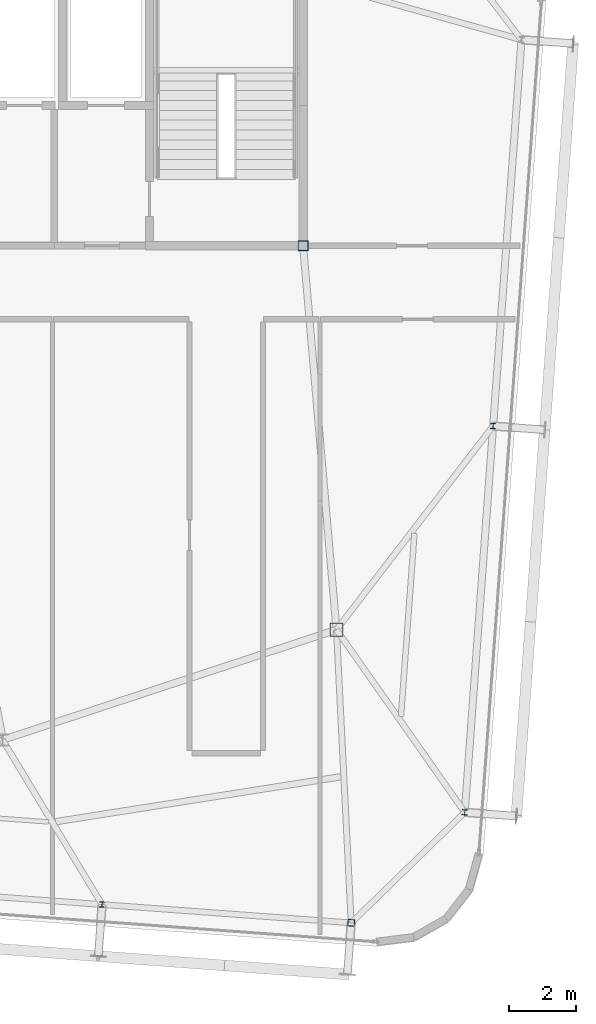
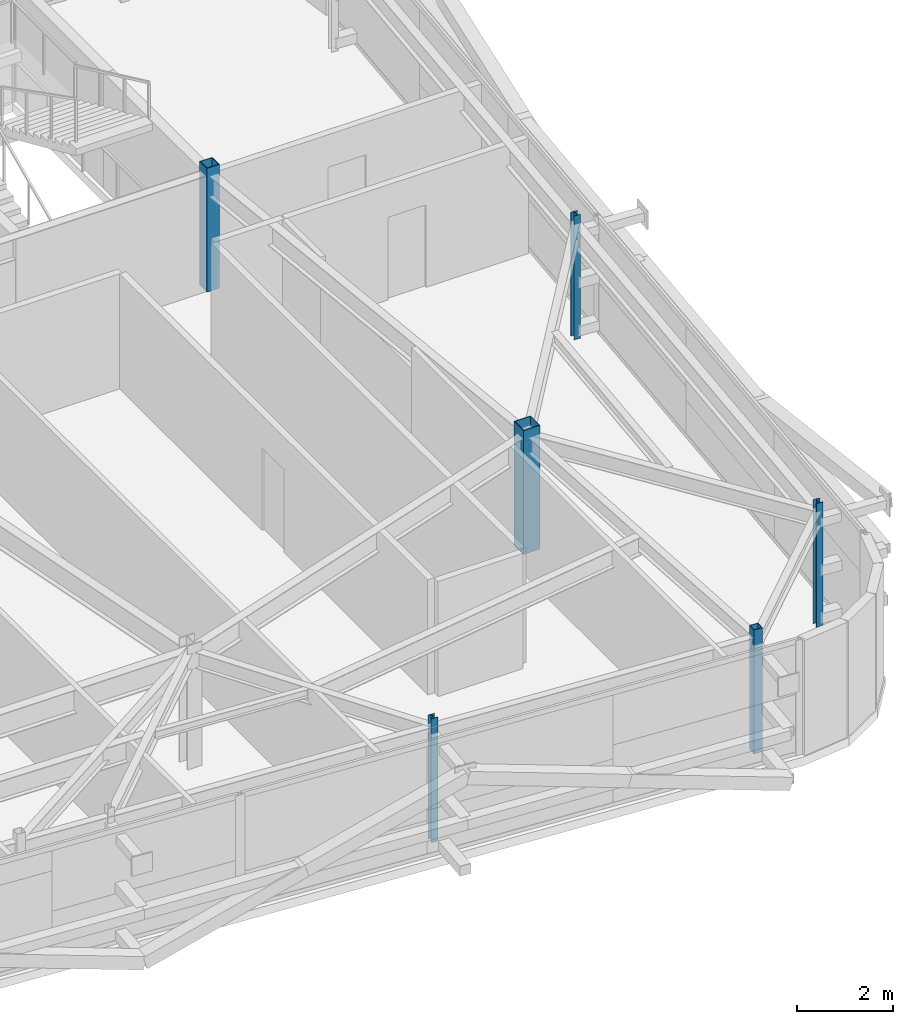
# One storey, part 5 of 34: 6 columns.
"""IFC4 building model written with IfcOpenShell, lengths in metres."""

from ifc_helpers import new_model, si_unit, direction, frame, origin, origin_2d, place, context, subcontext, project, spatial, hollow_rectangle, i_section, extrude, source, transform, mapped, material, material_profile, profile_set, type_object, element, save


model = new_model("IFC4")

# Units and contexts
model_context = context("Model", 3, precision=1e-05, world=origin(), true_north=direction((0.0, 1.0)))
body_context = subcontext(model_context, "Body", "Model", "MODEL_VIEW")
ifc_project = project(units=[si_unit("LENGTHUNIT", "METRE"), si_unit("AREAUNIT", "SQUARE_METRE"), si_unit("VOLUMEUNIT", "CUBIC_METRE"), si_unit("PLANEANGLEUNIT", "RADIAN"), si_unit("MASSUNIT", "GRAM", prefix="KILO")], contexts=[model_context])

# Site, building, storey
site_placement = place(None, origin())
site = spatial("IfcSite", under=ifc_project, at=site_placement, CompositionType="ELEMENT")
building_placement = place(site_placement, origin())
building = spatial("IfcBuilding", under=site, at=building_placement, Name="Taldren Reach Tower", CompositionType="ELEMENT")
storey_placement = place(building_placement, frame((0.0, 0.0, 239.75)))
storey = spatial("IfcBuildingStorey", under=building, at=storey_placement, Name="L73", CompositionType="ELEMENT", Elevation=239.75)

# Columns
ifc_material_1 = material(Name="Steel Gr 450 (C450L0)", Category="steel")
ifc_material_profile_1 = material_profile(ifc_material_1, hollow_rectangle(XDim=0.39990234375, YDim=0.39990234375, WallThickness=0.01611328125, at=origin_2d()), Name="400x400x16.0SHS")
ifc_profile_set_1 = profile_set([ifc_material_profile_1], Name="Steel Gr 450 (C450L0)")
column_type_1 = type_object("IfcColumnType", Name="COL-SHS400", PredefinedType="COLUMN", material=ifc_profile_set_1)
shared_shape_1 = source(origin(), body_context, "Body", "SweptSolid", [
    extrude(hollow_rectangle(XDim=0.39990234375, YDim=0.39990234375, WallThickness=0.01611328125, at=origin_2d()), origin(), (0.0, 0.0, 1.0), 3.14990234375),
])
column_1_placement = place(storey_placement, frame((52.0, 12.5, 0.0), z_axis=(0.0, 0.0, 1.0), x_axis=(1.0, 0.0, 0.0)))
element("IfcColumn", 1, at=column_1_placement, inside=storey, type_object=column_type_1, Name="Mega column MC-SE L73", PredefinedType="COLUMN", context=body_context, shape_type="MappedRepresentation", body=[
    mapped(shared_shape_1, transform((0.0, 0.0, 0.0), scale=1.0)),
])
ifc_material_profile_2 = material_profile(ifc_material_1, hollow_rectangle(XDim=0.300048828125, YDim=0.300048828125, WallThickness=0.012451171875, at=origin_2d()), Name="300x300x12.5SHS")
ifc_profile_set_2 = profile_set([ifc_material_profile_2], Name="Steel Gr 450 (C450L0)")
column_type_2 = type_object("IfcColumnType", Name="COL-SHS300", PredefinedType="COLUMN", material=ifc_profile_set_2)
shared_shape_2 = source(origin(), body_context, "Body", "SweptSolid", [
    extrude(hollow_rectangle(XDim=0.300048828125, YDim=0.300048828125, WallThickness=0.012451171875, at=origin_2d()), origin(), (0.0, 0.0, 1.0), 3.14990234375),
])
column_2_placement = place(storey_placement, frame((51.0, 24.0, 0.0), z_axis=(0.0, 0.0, 1.0), x_axis=(1.0, 0.0, 0.0)))
element("IfcColumn", 2, at=column_2_placement, inside=storey, type_object=column_type_2, Name="Mega column MC-C4 L73", PredefinedType="COLUMN", context=body_context, shape_type="MappedRepresentation", body=[
    mapped(shared_shape_2, transform((0.0, 0.0, 0.0), scale=1.0)),
])
ifc_material_2 = material(Name="Steel Gr 350 (C350L0)", Category="steel")
ifc_material_profile_3 = material_profile(ifc_material_2, hollow_rectangle(XDim=0.199951171875, YDim=0.199951171875, WallThickness=0.009033203125, at=origin_2d()), Name="200x200x9.0SHS")
ifc_profile_set_3 = profile_set([ifc_material_profile_3], Name="Steel Gr 350 (C350L0)")
column_type_3 = type_object("IfcColumnType", Name="COL-SHS200", PredefinedType="COLUMN", material=ifc_profile_set_3)
shared_shape_3 = source(origin(), body_context, "Body", "SweptSolid", [
    extrude(hollow_rectangle(XDim=0.199951171875, YDim=0.199951171875, WallThickness=0.009033203125, at=origin_2d()), origin(), (0.0, 0.0, 1.0), 3.14990234375),
])
column_3_placement = place(storey_placement, frame((52.440185546875, 3.72119140625, 0.0), z_axis=(0.0, 0.0, 1.0), x_axis=(0.997314477224, -0.073238197128, 0.0)))
element("IfcColumn", 3, at=column_3_placement, inside=storey, type_object=column_type_3, Name="Block B5 perimeter column S6 L73", PredefinedType="COLUMN", context=body_context, shape_type="MappedRepresentation", body=[
    mapped(shared_shape_3, transform((0.0, 0.0, 0.0), scale=1.0)),
])
ifc_material_3 = material(Name="Steel Gr 350 (350PLUS)", Category="steel")
ifc_material_profile_4 = material_profile(ifc_material_3, i_section(OverallWidth=0.154052734375, OverallDepth=0.162109375, WebThickness=0.008056640625, FlangeThickness=0.011474609375, at=origin_2d()), Name="150UC37.2")
ifc_profile_set_4 = profile_set([ifc_material_profile_4], Name="Steel Gr 350 (350PLUS)")
column_type_4 = type_object("IfcColumnType", Name="COL-UC150", PredefinedType="COLUMN", material=ifc_profile_set_4)
shared_shape_4 = source(origin(), body_context, "Body", "SweptSolid", [
    extrude(i_section(OverallWidth=0.154052734375, OverallDepth=0.162109375, WebThickness=0.008056640625, FlangeThickness=0.011474609375, at=origin_2d()), origin(), (0.0, 0.0, 1.0), 3.14990234375),
])
for number, where, z_axis, x_axis, name in (
    (4, (44.980224609375, 4.26904296875, 0.0), (0.0, 0.0, 1.0), (0.997314477224, -0.073238197128, 0.0), "Block B5 perimeter column S5 L73"),
    (5, (55.841796875, 7.031005859375, 0.0), (0.0, 0.0, 1.0), (0.997314477224, -0.073238197128, 0.0), "Block B5 perimeter column E1 L73"),
    (6, (56.69140625, 18.599853515625, 0.0), (0.0, 0.0, 1.0), (0.997314477224, -0.073238197128, 0.0), "Block B5 perimeter column E2 L73"),
):
    element("IfcColumn", number, at=place(storey_placement, frame(where, z_axis=z_axis, x_axis=x_axis)), inside=storey, type_object=column_type_4, Name=name, PredefinedType="COLUMN", context=body_context, shape_type="MappedRepresentation", body=[
        mapped(shared_shape_4, transform((0.0, 0.0, 0.0), scale=1.0)),
    ])

save(model, "model.ifc")
